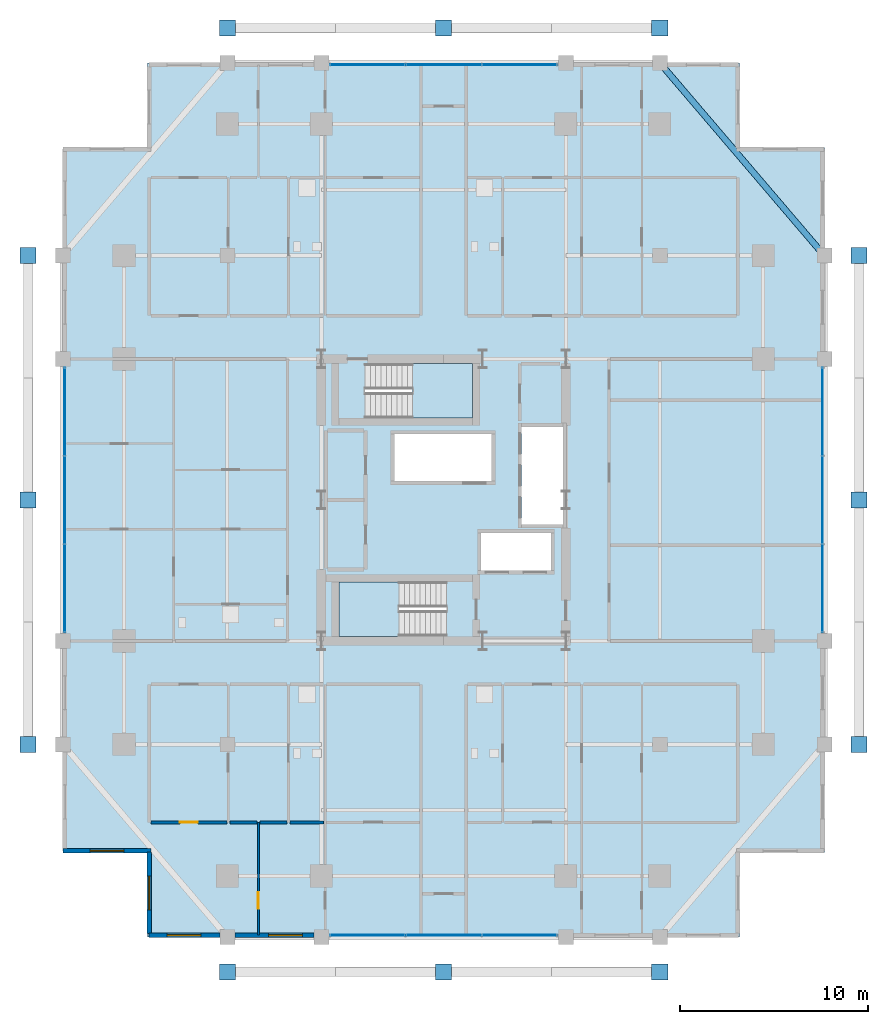
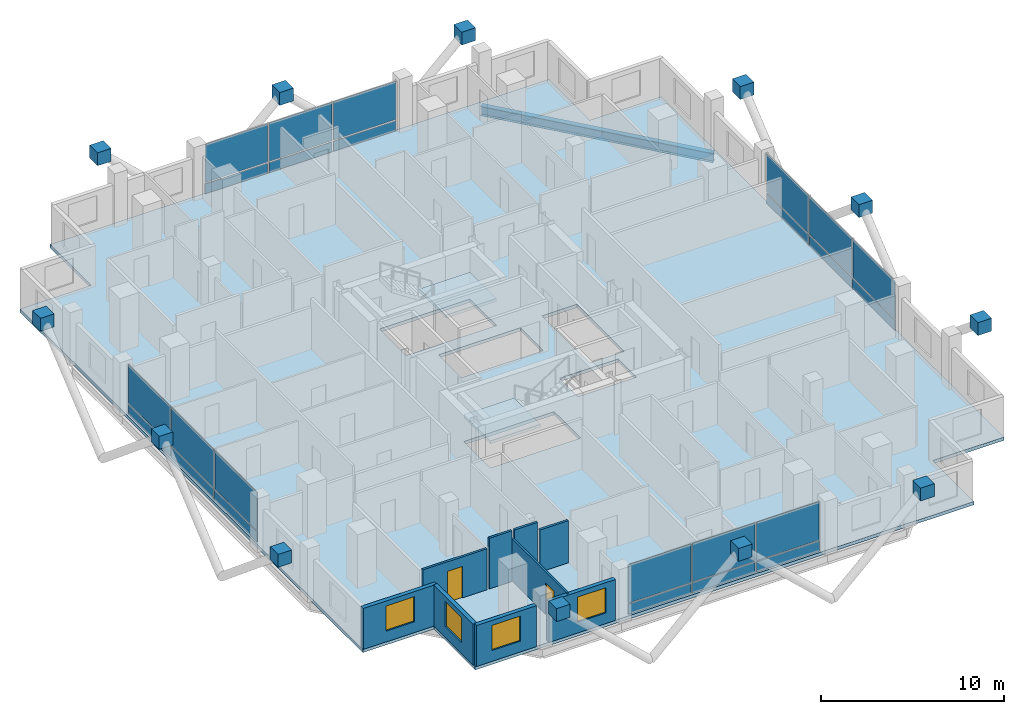
# One storey, part 16 of 23: 36 plates, 9 walls, 4 windows, 3 slabs, 2 doors, 1 beam, 6 openings, 6 elements without a shape of their own.
"""IFC4 building model written with IfcOpenShell, lengths in metres."""

from ifc_helpers import new_model, si_unit, direction, frame, frame_2d, origin, origin_2d, place, context, subcontext, project, spatial, polyline, rectangle, i_section, outline, extrude, material, layer, layer_set, material_profile, profile_set, type_object, element, fill, aggregate, save


model = new_model("IFC4")

# Units and contexts
model_context = context("Model", 3, precision=1e-05, world=origin(), true_north=direction((0.0, 1.0)))
body_context = subcontext(model_context, "Body", "Model", "MODEL_VIEW")
ifc_project = project(units=[si_unit("LENGTHUNIT", "METRE"), si_unit("AREAUNIT", "SQUARE_METRE"), si_unit("VOLUMEUNIT", "CUBIC_METRE"), si_unit("PLANEANGLEUNIT", "RADIAN"), si_unit("MASSUNIT", "GRAM", prefix="KILO")], contexts=[model_context])

# Site, building, storey
site_placement = place(None, origin())
site = spatial("IfcSite", under=ifc_project, at=site_placement, CompositionType="ELEMENT")
building_placement = place(site_placement, origin())
building = spatial("IfcBuilding", under=site, at=building_placement, Name="Barlavira Tower and Art Museum", CompositionType="ELEMENT")
storey_placement = place(building_placement, frame((0.0, 0.0, 140.39990234375)))
storey = spatial("IfcBuildingStorey", under=building, at=storey_placement, Name="L35", CompositionType="ELEMENT", Elevation=140.39990234375)

# Beam
ifc_material_1 = material(Name="Steel S355", Category="steel")
ifc_material_profile = material_profile(ifc_material_1, i_section(OverallWidth=0.327880859375, OverallDepth=0.62890625, WebThickness=0.013916015625, FlangeThickness=0.021484375, at=origin_2d()), Name="W610x174.0")
ifc_profile_set = profile_set([ifc_material_profile], Name="Steel S355")
beam_type = type_object("IfcBeamType", Name="Perimeter Spandrel Edge Beam W610x174 Steel S355", PredefinedType="SPANDREL", material=ifc_profile_set)
beam_placement = place(storey_placement, frame((20.25, 13.0, -0.534423828125), z_axis=(-0.649262379928, 0.760564502202, 0.0), x_axis=(-0.760564502202, -0.649262379928, 0.0)))
element("IfcBeam", 1, at=beam_placement, inside=storey, type_object=beam_type, Name="L35 Spandrel 8", PredefinedType="SPANDREL", context=body_context, shape_type="SweptSolid", body=[
    extrude(i_section(OverallWidth=0.327880859375, OverallDepth=0.62890625, WebThickness=0.013916015625, FlangeThickness=0.021484375, at=origin_2d()), origin(), (0.0, 0.0, 1.0), 13.476806640625),
])

# Curtain wall, plates
ifc_material_2 = material(Name="Low-iron coastal laminated glass", Category="glass")
ifc_layer_1 = layer(ifc_material_2, 0.18994140625, Name="Low-iron coastal laminated glass")
ifc_layer_set_1 = layer_set([ifc_layer_1], Name="Low-iron coastal laminated glass")
curtain_wall_type = type_object("IfcCurtainWallType", Name="Pale-Metal Unitised Curtain Wall Zone 2", PredefinedType="NOTDEFINED", material=ifc_layer_set_1)
curtain_wall_1_placement = place(storey_placement, origin())
curtain_wall_1 = element("IfcCurtainWall", 2, at=curtain_wall_1_placement, inside=storey, type_object=curtain_wall_type, Name="L35 Curtain Wall CW2-L35-S-B3", PredefinedType="NOTDEFINED")
ifc_material_3 = material(Name="Pale anodised aluminium", Category="aluminium")
ifc_layer_2 = layer(ifc_material_3, 0.044921875, Name="Pale anodised aluminium")
ifc_layer_set_2 = layer_set([ifc_layer_2], Name="Pale anodised aluminium")
plate_type_1 = type_object("IfcPlateType", Name="Curtain Wall Pale-Metal Spandrel Panel 45", PredefinedType="CURTAIN_PANEL", material=ifc_layer_set_2)
plate_1_placement = place(storey_placement, frame((-4.05322265625, -23.14990234375, 0.0400390625), z_axis=(0.0, 0.0, 1.0), x_axis=(1.0, 0.0, 0.0)))
plate_1 = element("IfcPlate", 3, at=plate_1_placement, type_object=plate_type_1, Name="CW2-L35-S-B3 Spandrel Panel 0", PredefinedType="CURTAIN_PANEL", context=body_context, shape_type="SweptSolid", body=[
    extrude(rectangle(XDim=3.953369140625, YDim=0.044921875, at=origin_2d()), origin(), (0.0, 0.0, 1.0), 0.6640625),
])
plate_2_placement = place(storey_placement, frame((0.0, -23.14990234375, 0.0400390625), z_axis=(0.0, 0.0, 1.0), x_axis=(1.0, 0.0, 0.0)))
plate_2 = element("IfcPlate", 4, at=plate_2_placement, type_object=plate_type_1, Name="CW2-L35-S-B3 Spandrel Panel 1", PredefinedType="CURTAIN_PANEL", context=body_context, shape_type="SweptSolid", body=[
    extrude(rectangle(XDim=3.953369140625, YDim=0.044921875, at=origin_2d()), origin(), (0.0, 0.0, 1.0), 0.6640625),
])
plate_3_placement = place(storey_placement, frame((4.05322265625, -23.14990234375, 0.0400390625), z_axis=(0.0, 0.0, 1.0), x_axis=(1.0, 0.0, 0.0)))
plate_3 = element("IfcPlate", 5, at=plate_3_placement, type_object=plate_type_1, Name="CW2-L35-S-B3 Spandrel Panel 2", PredefinedType="CURTAIN_PANEL", context=body_context, shape_type="SweptSolid", body=[
    extrude(rectangle(XDim=3.953369140625, YDim=0.044921875, at=origin_2d()), origin(), (0.0, 0.0, 1.0), 0.6640625),
])

curtain_wall_2_placement = place(storey_placement, origin())
curtain_wall_2 = element("IfcCurtainWall", 6, at=curtain_wall_2_placement, inside=storey, type_object=curtain_wall_type, Name="L35 Curtain Wall CW2-L35-N-B3", PredefinedType="NOTDEFINED")
plate_4_placement = place(storey_placement, frame((4.05322265625, 23.14990234375, 0.0400390625), z_axis=(0.0, 0.0, 1.0), x_axis=(-1.0, 0.0, 0.0)))
plate_4 = element("IfcPlate", 7, at=plate_4_placement, type_object=plate_type_1, Name="CW2-L35-N-B3 Spandrel Panel 0", PredefinedType="CURTAIN_PANEL", context=body_context, shape_type="SweptSolid", body=[
    extrude(rectangle(XDim=3.953369140625, YDim=0.044921875, at=origin_2d()), origin(), (0.0, 0.0, 1.0), 0.6640625),
])
plate_5_placement = place(storey_placement, frame((0.0, 23.14990234375, 0.0400390625), z_axis=(0.0, 0.0, 1.0), x_axis=(-1.0, 0.0, 0.0)))
plate_5 = element("IfcPlate", 8, at=plate_5_placement, type_object=plate_type_1, Name="CW2-L35-N-B3 Spandrel Panel 1", PredefinedType="CURTAIN_PANEL", context=body_context, shape_type="SweptSolid", body=[
    extrude(rectangle(XDim=3.953369140625, YDim=0.044921875, at=origin_2d()), origin(), (0.0, 0.0, 1.0), 0.6640625),
])
plate_6_placement = place(storey_placement, frame((-4.05322265625, 23.14990234375, 0.0400390625), z_axis=(0.0, 0.0, 1.0), x_axis=(-1.0, 0.0, 0.0)))
plate_6 = element("IfcPlate", 9, at=plate_6_placement, type_object=plate_type_1, Name="CW2-L35-N-B3 Spandrel Panel 2", PredefinedType="CURTAIN_PANEL", context=body_context, shape_type="SweptSolid", body=[
    extrude(rectangle(XDim=3.953369140625, YDim=0.044921875, at=origin_2d()), origin(), (0.0, 0.0, 1.0), 0.6640625),
])

curtain_wall_3_placement = place(storey_placement, origin())
curtain_wall_3 = element("IfcCurtainWall", 10, at=curtain_wall_3_placement, inside=storey, type_object=curtain_wall_type, Name="L35 Curtain Wall CW2-L35-W-B3", PredefinedType="NOTDEFINED")
plate_7_placement = place(storey_placement, frame((-20.14990234375, 4.719970703125, 0.0400390625), z_axis=(0.0, 0.0, 1.0), x_axis=(0.0, -1.0, 0.0)))
plate_7 = element("IfcPlate", 11, at=plate_7_placement, type_object=plate_type_1, Name="CW2-L35-W-B3 Spandrel Panel 0", PredefinedType="CURTAIN_PANEL", context=body_context, shape_type="SweptSolid", body=[
    extrude(rectangle(XDim=4.6201171875, YDim=0.044921875, at=origin_2d()), origin(), (0.0, 0.0, 1.0), 0.6640625),
])
plate_8_placement = place(storey_placement, frame((-20.14990234375, 0.0, 0.0400390625), z_axis=(0.0, 0.0, 1.0), x_axis=(0.0, -1.0, 0.0)))
plate_8 = element("IfcPlate", 12, at=plate_8_placement, type_object=plate_type_1, Name="CW2-L35-W-B3 Spandrel Panel 1", PredefinedType="CURTAIN_PANEL", context=body_context, shape_type="SweptSolid", body=[
    extrude(rectangle(XDim=4.6201171875, YDim=0.044921875, at=origin_2d()), origin(), (0.0, 0.0, 1.0), 0.6640625),
])
plate_9_placement = place(storey_placement, frame((-20.14990234375, -4.719970703125, 0.0400390625), z_axis=(0.0, 0.0, 1.0), x_axis=(0.0, -1.0, 0.0)))
plate_9 = element("IfcPlate", 13, at=plate_9_placement, type_object=plate_type_1, Name="CW2-L35-W-B3 Spandrel Panel 2", PredefinedType="CURTAIN_PANEL", context=body_context, shape_type="SweptSolid", body=[
    extrude(rectangle(XDim=4.6201171875, YDim=0.044921875, at=origin_2d()), origin(), (0.0, 0.0, 1.0), 0.6640625),
])

curtain_wall_4_placement = place(storey_placement, origin())
curtain_wall_4 = element("IfcCurtainWall", 14, at=curtain_wall_4_placement, inside=storey, type_object=curtain_wall_type, Name="L35 Curtain Wall CW2-L35-E-B3", PredefinedType="NOTDEFINED")
plate_10_placement = place(storey_placement, frame((20.14990234375, -4.719970703125, 0.0400390625), z_axis=(0.0, 0.0, 1.0), x_axis=(0.0, 1.0, 0.0)))
plate_10 = element("IfcPlate", 15, at=plate_10_placement, type_object=plate_type_1, Name="CW2-L35-E-B3 Spandrel Panel 0", PredefinedType="CURTAIN_PANEL", context=body_context, shape_type="SweptSolid", body=[
    extrude(rectangle(XDim=4.6201171875, YDim=0.044921875, at=origin_2d()), origin(), (0.0, 0.0, 1.0), 0.6640625),
])
plate_11_placement = place(storey_placement, frame((20.14990234375, 0.0, 0.0400390625), z_axis=(0.0, 0.0, 1.0), x_axis=(0.0, 1.0, 0.0)))
plate_11 = element("IfcPlate", 16, at=plate_11_placement, type_object=plate_type_1, Name="CW2-L35-E-B3 Spandrel Panel 1", PredefinedType="CURTAIN_PANEL", context=body_context, shape_type="SweptSolid", body=[
    extrude(rectangle(XDim=4.6201171875, YDim=0.044921875, at=origin_2d()), origin(), (0.0, 0.0, 1.0), 0.6640625),
])
plate_12_placement = place(storey_placement, frame((20.14990234375, 4.719970703125, 0.0400390625), z_axis=(0.0, 0.0, 1.0), x_axis=(0.0, 1.0, 0.0)))
plate_12 = element("IfcPlate", 17, at=plate_12_placement, type_object=plate_type_1, Name="CW2-L35-E-B3 Spandrel Panel 2", PredefinedType="CURTAIN_PANEL", context=body_context, shape_type="SweptSolid", body=[
    extrude(rectangle(XDim=4.6201171875, YDim=0.044921875, at=origin_2d()), origin(), (0.0, 0.0, 1.0), 0.6640625),
])

# Plate
ifc_layer_3 = layer(ifc_material_2, 0.028076171875, Name="Low-iron coastal laminated glass")
ifc_layer_set_3 = layer_set([ifc_layer_3], Name="Low-iron coastal laminated glass")
plate_type_2 = type_object("IfcPlateType", Name="Curtain Wall Vision Glazing Panel 28", PredefinedType="CURTAIN_PANEL", material=ifc_layer_set_3)
plate_13_placement = place(storey_placement, frame((-4.05322265625, -23.14990234375, 0.7841796875), z_axis=(0.0, 0.0, 1.0), x_axis=(1.0, 0.0, 0.0)))
plate_13 = element("IfcPlate", 18, at=plate_13_placement, type_object=plate_type_2, Name="CW2-L35-S-B3 Vision Glass Panel 0", PredefinedType="CURTAIN_PANEL", context=body_context, shape_type="SweptSolid", body=[
    extrude(rectangle(XDim=3.953369140625, YDim=0.028076171875, at=origin_2d()), origin(), (0.0, 0.0, 1.0), 2.555908203125),
])

plate_14_placement = place(storey_placement, frame((0.0, -23.14990234375, 0.7841796875), z_axis=(0.0, 0.0, 1.0), x_axis=(1.0, 0.0, 0.0)))
plate_14 = element("IfcPlate", 19, at=plate_14_placement, type_object=plate_type_2, Name="CW2-L35-S-B3 Vision Glass Panel 1", PredefinedType="CURTAIN_PANEL", context=body_context, shape_type="SweptSolid", body=[
    extrude(rectangle(XDim=3.953369140625, YDim=0.028076171875, at=origin_2d()), origin(), (0.0, 0.0, 1.0), 2.555908203125),
])

plate_15_placement = place(storey_placement, frame((4.05322265625, -23.14990234375, 0.7841796875), z_axis=(0.0, 0.0, 1.0), x_axis=(1.0, 0.0, 0.0)))
plate_15 = element("IfcPlate", 20, at=plate_15_placement, type_object=plate_type_2, Name="CW2-L35-S-B3 Vision Glass Panel 2", PredefinedType="CURTAIN_PANEL", context=body_context, shape_type="SweptSolid", body=[
    extrude(rectangle(XDim=3.953369140625, YDim=0.028076171875, at=origin_2d()), origin(), (0.0, 0.0, 1.0), 2.555908203125),
])

aggregate(curtain_wall_1, [plate_1, plate_13, plate_2, plate_14, plate_3, plate_15])

plate_16_placement = place(storey_placement, frame((4.05322265625, 23.14990234375, 0.7841796875), z_axis=(0.0, 0.0, 1.0), x_axis=(-1.0, 0.0, 0.0)))
plate_16 = element("IfcPlate", 21, at=plate_16_placement, type_object=plate_type_2, Name="CW2-L35-N-B3 Vision Glass Panel 0", PredefinedType="CURTAIN_PANEL", context=body_context, shape_type="SweptSolid", body=[
    extrude(rectangle(XDim=3.953369140625, YDim=0.028076171875, at=origin_2d()), origin(), (0.0, 0.0, 1.0), 2.555908203125),
])

plate_17_placement = place(storey_placement, frame((0.0, 23.14990234375, 0.7841796875), z_axis=(0.0, 0.0, 1.0), x_axis=(-1.0, 0.0, 0.0)))
plate_17 = element("IfcPlate", 22, at=plate_17_placement, type_object=plate_type_2, Name="CW2-L35-N-B3 Vision Glass Panel 1", PredefinedType="CURTAIN_PANEL", context=body_context, shape_type="SweptSolid", body=[
    extrude(rectangle(XDim=3.953369140625, YDim=0.028076171875, at=origin_2d()), origin(), (0.0, 0.0, 1.0), 2.555908203125),
])

plate_18_placement = place(storey_placement, frame((-4.05322265625, 23.14990234375, 0.7841796875), z_axis=(0.0, 0.0, 1.0), x_axis=(-1.0, 0.0, 0.0)))
plate_18 = element("IfcPlate", 23, at=plate_18_placement, type_object=plate_type_2, Name="CW2-L35-N-B3 Vision Glass Panel 2", PredefinedType="CURTAIN_PANEL", context=body_context, shape_type="SweptSolid", body=[
    extrude(rectangle(XDim=3.953369140625, YDim=0.028076171875, at=origin_2d()), origin(), (0.0, 0.0, 1.0), 2.555908203125),
])

aggregate(curtain_wall_2, [plate_4, plate_16, plate_5, plate_17, plate_6, plate_18])

plate_19_placement = place(storey_placement, frame((-20.14990234375, 4.719970703125, 0.7841796875), z_axis=(0.0, 0.0, 1.0), x_axis=(0.0, -1.0, 0.0)))
plate_19 = element("IfcPlate", 24, at=plate_19_placement, type_object=plate_type_2, Name="CW2-L35-W-B3 Vision Glass Panel 0", PredefinedType="CURTAIN_PANEL", context=body_context, shape_type="SweptSolid", body=[
    extrude(rectangle(XDim=4.6201171875, YDim=0.028076171875, at=origin_2d()), origin(), (0.0, 0.0, 1.0), 2.555908203125),
])

plate_20_placement = place(storey_placement, frame((-20.14990234375, 0.0, 0.7841796875), z_axis=(0.0, 0.0, 1.0), x_axis=(0.0, -1.0, 0.0)))
plate_20 = element("IfcPlate", 25, at=plate_20_placement, type_object=plate_type_2, Name="CW2-L35-W-B3 Vision Glass Panel 1", PredefinedType="CURTAIN_PANEL", context=body_context, shape_type="SweptSolid", body=[
    extrude(rectangle(XDim=4.6201171875, YDim=0.028076171875, at=origin_2d()), origin(), (0.0, 0.0, 1.0), 2.555908203125),
])

plate_21_placement = place(storey_placement, frame((-20.14990234375, -4.719970703125, 0.7841796875), z_axis=(0.0, 0.0, 1.0), x_axis=(0.0, -1.0, 0.0)))
plate_21 = element("IfcPlate", 26, at=plate_21_placement, type_object=plate_type_2, Name="CW2-L35-W-B3 Vision Glass Panel 2", PredefinedType="CURTAIN_PANEL", context=body_context, shape_type="SweptSolid", body=[
    extrude(rectangle(XDim=4.6201171875, YDim=0.028076171875, at=origin_2d()), origin(), (0.0, 0.0, 1.0), 2.555908203125),
])

aggregate(curtain_wall_3, [plate_7, plate_19, plate_8, plate_20, plate_9, plate_21])

plate_22_placement = place(storey_placement, frame((20.14990234375, -4.719970703125, 0.7841796875), z_axis=(0.0, 0.0, 1.0), x_axis=(0.0, 1.0, 0.0)))
plate_22 = element("IfcPlate", 27, at=plate_22_placement, type_object=plate_type_2, Name="CW2-L35-E-B3 Vision Glass Panel 0", PredefinedType="CURTAIN_PANEL", context=body_context, shape_type="SweptSolid", body=[
    extrude(rectangle(XDim=4.6201171875, YDim=0.028076171875, at=origin_2d()), origin(), (0.0, 0.0, 1.0), 2.555908203125),
])

plate_23_placement = place(storey_placement, frame((20.14990234375, 0.0, 0.7841796875), z_axis=(0.0, 0.0, 1.0), x_axis=(0.0, 1.0, 0.0)))
plate_23 = element("IfcPlate", 28, at=plate_23_placement, type_object=plate_type_2, Name="CW2-L35-E-B3 Vision Glass Panel 1", PredefinedType="CURTAIN_PANEL", context=body_context, shape_type="SweptSolid", body=[
    extrude(rectangle(XDim=4.6201171875, YDim=0.028076171875, at=origin_2d()), origin(), (0.0, 0.0, 1.0), 2.555908203125),
])

plate_24_placement = place(storey_placement, frame((20.14990234375, 4.719970703125, 0.7841796875), z_axis=(0.0, 0.0, 1.0), x_axis=(0.0, 1.0, 0.0)))
plate_24 = element("IfcPlate", 29, at=plate_24_placement, type_object=plate_type_2, Name="CW2-L35-E-B3 Vision Glass Panel 2", PredefinedType="CURTAIN_PANEL", context=body_context, shape_type="SweptSolid", body=[
    extrude(rectangle(XDim=4.6201171875, YDim=0.028076171875, at=origin_2d()), origin(), (0.0, 0.0, 1.0), 2.555908203125),
])

aggregate(curtain_wall_4, [plate_10, plate_22, plate_11, plate_23, plate_12, plate_24])

# Plates
ifc_layer_4 = layer(ifc_material_1, 0.860107421875, Name="Steel S355")
ifc_layer_set_4 = layer_set([ifc_layer_4], Name="Steel S355")
plate_type_3 = type_object("IfcPlateType", Name="Exoskeleton Solid Steel Node Cap Plate Assembly Type 2 Steel S355", PredefinedType="USERDEFINED", material=ifc_layer_set_4)
for number, where, z_axis, x_axis, name in (
    (30, (-11.5, -25.10009765625, 3.0498046875), (0.0, 0.0, 1.0), (1.0, 0.0, 0.0), "Exoskeleton Node S ND-L35-0345"),
    (31, (0.0, -25.10009765625, 3.0498046875), (0.0, 0.0, 1.0), (1.0, 0.0, 0.0), "Exoskeleton Node S ND-L35-0346"),
    (32, (11.5, -25.10009765625, 3.0498046875), (0.0, 0.0, 1.0), (1.0, 0.0, 0.0), "Exoskeleton Node S ND-L35-0347"),
    (33, (-11.5, 25.10009765625, 3.0498046875), (0.0, 0.0, 1.0), (1.0, 0.0, 0.0), "Exoskeleton Node N ND-L35-0353"),
    (34, (0.0, 25.10009765625, 3.0498046875), (0.0, 0.0, 1.0), (1.0, 0.0, 0.0), "Exoskeleton Node N ND-L35-0354"),
    (35, (11.5, 25.10009765625, 3.0498046875), (0.0, 0.0, 1.0), (1.0, 0.0, 0.0), "Exoskeleton Node N ND-L35-0355"),
    (36, (-22.10009765625, -13.0, 3.0498046875), (0.0, 0.0, 1.0), (1.0, 0.0, 0.0), "Exoskeleton Node W ND-L35-0361"),
    (37, (-22.10009765625, 0.0, 3.0498046875), (0.0, 0.0, 1.0), (1.0, 0.0, 0.0), "Exoskeleton Node W ND-L35-0362"),
    (38, (-22.10009765625, 13.0, 3.0498046875), (0.0, 0.0, 1.0), (1.0, 0.0, 0.0), "Exoskeleton Node W ND-L35-0363"),
    (39, (22.10009765625, -13.0, 3.0498046875), (0.0, 0.0, 1.0), (1.0, 0.0, 0.0), "Exoskeleton Node E ND-L35-0369"),
    (40, (22.10009765625, 0.0, 3.0498046875), (0.0, 0.0, 1.0), (1.0, 0.0, 0.0), "Exoskeleton Node E ND-L35-0370"),
    (41, (22.10009765625, 13.0, 3.0498046875), (0.0, 0.0, 1.0), (1.0, 0.0, 0.0), "Exoskeleton Node E ND-L35-0371"),
):
    element("IfcPlate", number, at=place(storey_placement, frame(where, z_axis=z_axis, x_axis=x_axis)), inside=storey, type_object=plate_type_3, Name=name, ObjectType="FLANGE_PLATE", PredefinedType="USERDEFINED", context=body_context, shape_type="SweptSolid", body=[
        extrude(rectangle(XDim=0.860107421875, YDim=0.860107421875, at=origin_2d()), origin(), (0.0, 0.0, 1.0), 0.860107421875),
    ])

# Stair, slab
ifc_material_4 = material(Name="Concrete C45", Category="concrete")
stair_type_1 = type_object("IfcStairType", Name="Tower North Dog-Leg Exit Stair Assembly Concrete C45", PredefinedType="TWO_QUARTER_TURN_STAIR", material=ifc_material_4)
stair_1_placement = place(storey_placement, origin())
stair_1 = element("IfcStair", 42, at=stair_1_placement, inside=storey, type_object=stair_type_1, Name="L35 Tower North Exit Stair ST-T2", PredefinedType="TWO_QUARTER_TURN_STAIR")
ifc_layer_5 = layer(ifc_material_4, 0.199951171875, Name="Concrete C45")
ifc_layer_set_5 = layer_set([ifc_layer_5], Name="Concrete C45")
slab_type_1 = type_object("IfcSlabType", Name="Tower North Dog-Leg Exit Stair Half-Landing Slab 200 Concrete C45", PredefinedType="LANDING", material=ifc_layer_set_5)
slab_1_placement = place(storey_placement, frame((0.0, 0.0, 1.60009765625)))
slab_1 = element("IfcSlab", 43, at=slab_1_placement, type_object=slab_type_1, Name="ST-T2 landing 1", PredefinedType="LANDING", context=body_context, shape_type="SweptSolid", body=[
    extrude(outline(polyline([(-1.64990234375, 4.35009765625), (1.530029296875, 4.35009765625), (1.530029296875, 7.25), (-1.64990234375, 7.25), (-1.64990234375, 4.35009765625)])), origin(), (0.0, 0.0, 1.0), 0.199951171875),
])
aggregate(stair_1, [slab_1])

stair_type_2 = type_object("IfcStairType", Name="Tower South Dog-Leg Exit Stair Assembly Concrete C45", PredefinedType="TWO_QUARTER_TURN_STAIR", material=ifc_material_4)
stair_2_placement = place(storey_placement, origin())
stair_2 = element("IfcStair", 44, at=stair_2_placement, inside=storey, type_object=stair_type_2, Name="L35 Tower South Exit Stair ST-T1", PredefinedType="TWO_QUARTER_TURN_STAIR")
ifc_layer_6 = layer(ifc_material_4, 0.199951171875, Name="Concrete C45")
ifc_layer_set_6 = layer_set([ifc_layer_6], Name="Concrete C45")
slab_type_2 = type_object("IfcSlabType", Name="Tower South Dog-Leg Exit Stair Half-Landing Slab 200 Concrete C45", PredefinedType="LANDING", material=ifc_layer_set_6)
slab_2_placement = place(storey_placement, frame((0.0, 0.0, 1.60009765625)))
slab_2 = element("IfcSlab", 45, at=slab_2_placement, type_object=slab_type_2, Name="ST-T1 landing 1", PredefinedType="LANDING", context=body_context, shape_type="SweptSolid", body=[
    extrude(outline(polyline([(-2.3701171875, -4.35009765625), (-5.550048828125, -4.35009765625), (-5.550048828125, -7.25), (-2.3701171875, -7.25), (-2.3701171875, -4.35009765625)])), origin(), (0.0, 0.0, 1.0), 0.199951171875),
])
aggregate(stair_2, [slab_2])

# Slab
ifc_material_5 = material(Name="Concrete C50", Category="concrete")
ifc_layer_7 = layer(ifc_material_5, 0.2099609375, Name="Concrete C50")
ifc_layer_set_7 = layer_set([ifc_layer_7], Name="Concrete C50")
slab_type_3 = type_object("IfcSlabType", Name="Zone 2 Residential Composite Slab 210 Concrete C50", PredefinedType="FLOOR", material=ifc_layer_set_7)
slab_3_placement = place(storey_placement, frame((0.0, 0.0, -0.219970703125)))
element("IfcSlab", 46, at=slab_3_placement, inside=storey, type_object=slab_type_3, Name="L35 Tower Floor Slab", PredefinedType="FLOOR", context=body_context, shape_type="SweptSolid", body=[
    extrude(outline(polyline([(-15.75, -23.25), (15.75, -23.25), (15.75, -18.75), (20.25, -18.75), (20.25, 18.75), (15.75, 18.75), (15.75, 23.25), (-15.75, 23.25), (-15.75, 18.75), (-20.25, 18.75), (-20.25, -18.75), (-15.75, -18.75), (-15.75, -23.25)]), holes=[polyline([(0.14990234375, -4.35009765625), (-5.550048828125, -4.35009765625), (-5.550048828125, -7.25), (0.14990234375, -7.25), (0.14990234375, -4.35009765625)]), polyline([(-4.169921875, 4.35009765625), (1.530029296875, 4.35009765625), (1.530029296875, 7.25), (-4.169921875, 7.25), (-4.169921875, 4.35009765625)]), polyline([(4.14990234375, -1.2900390625), (6.35009765625, -1.2900390625), (6.35009765625, 3.889892578125), (4.14990234375, 3.889892578125), (4.14990234375, -1.2900390625)]), polyline([(-2.6201171875, 1.0), (2.56005859375, 1.0), (2.56005859375, 3.5), (-2.6201171875, 3.5), (-2.6201171875, 1.0)]), polyline([(2.0, -3.75), (5.699951171875, -3.75), (5.699951171875, -1.75), (2.0, -1.75), (2.0, -3.75)])]), origin(), (0.0, 0.0, 1.0), 0.219970703125),
])

# Wall, opening, door
ifc_material_6 = material(Name="Gypsum acoustic stud partition", Category="gypsum")
ifc_layer_8 = layer(ifc_material_6, 0.1201171875, Name="Gypsum acoustic stud partition")
ifc_layer_set_8 = layer_set([ifc_layer_8], Name="Gypsum acoustic stud partition")
wall_type_1 = type_object("IfcWallType", Name="Apartment Internal Acoustic Partition 120", PredefinedType="PARTITIONING", material=ifc_layer_set_8)
wall_1_placement = place(storey_placement, frame((-9.85009765625, -23.14990234375, 0.0), z_axis=(0.0, 0.0, 1.0), x_axis=(0.0, 1.0, 0.0)))
wall_1 = element("IfcWall", 47, at=wall_1_placement, inside=storey, type_object=wall_type_1, Name="L35 Partition Wall 6", PredefinedType="PARTITIONING", context=body_context, shape_type="SweptSolid", body=[
    extrude(rectangle(XDim=6.0, YDim=0.1201171875, at=frame_2d((3.0, 0.0))), origin(), (0.0, 0.0, 1.0), 2.816162109375),
])
opening_1_placement = place(wall_1_placement, frame((1.39892578125, 0.0, 0.0)))
opening_1 = element("IfcOpeningElement", 48, at=opening_1_placement, cuts=wall_1, Name="Opening D-01", PredefinedType="OPENING", context=body_context, shape_type="SweptSolid", body=[
    extrude(rectangle(XDim=0.89990234375, YDim=2.10009765625, at=frame_2d((0.449951171875, 1.050048828125))), frame((0.0, 0.070068359375, 0.0), z_axis=(0.0, -1.0, 0.0), x_axis=(1.0, 0.0, 0.0)), (0.0, 0.0, 1.0), 0.14013671875),
])
ifc_material_7 = material(Name="Engineered coastal hardwood", Category="wood")
door_type_1 = type_object("IfcDoorType", Name="Internal Bedroom Timber Flush Door 900x2100", OperationType="NOTDEFINED", PredefinedType="DOOR", material=ifc_material_7)
door_1_placement = place(opening_1_placement, origin())
door_1 = element("IfcDoor", 49, at=door_1_placement, inside=storey, type_object=door_type_1, Name="Apartment SW1 Bedroom 1 Door", OperationType="SINGLE_SWING_LEFT", OverallHeight=2.10009765625, OverallWidth=0.89990234375, PredefinedType="DOOR", context=body_context, shape_type="SweptSolid", body=[
    extrude(rectangle(XDim=0.89990234375, YDim=2.10009765625, at=frame_2d((0.449951171875, 1.050048828125))), frame((0.0, 0.02490234375, 0.0), z_axis=(0.0, -1.0, 0.0), x_axis=(1.0, 0.0, 0.0)), (0.0, 0.0, 1.0), 0.050048828125),
])
fill(opening_1, door_1)

ifc_layer_9 = layer(ifc_material_6, 0.139892578125, Name="Gypsum acoustic stud partition")
ifc_layer_set_9 = layer_set([ifc_layer_9], Name="Gypsum acoustic stud partition")
wall_type_2 = type_object("IfcWallType", Name="Moisture-Resistant Bathroom Partition 140", PredefinedType="PARTITIONING", material=ifc_layer_set_9)
wall_2_placement = place(storey_placement, frame((-15.570068359375, -17.14990234375, 0.0), z_axis=(0.0, 0.0, 1.0), x_axis=(1.0, 0.0, 0.0)))
wall_2 = element("IfcWall", 50, at=wall_2_placement, inside=storey, type_object=wall_type_2, Name="L35 Partition Wall 30", PredefinedType="PARTITIONING", context=body_context, shape_type="SweptSolid", body=[
    extrude(rectangle(XDim=4.0400390625, YDim=0.139892578125, at=frame_2d((2.02001953125, 0.0))), origin(), (0.0, 0.0, 1.0), 2.736083984375),
])
opening_2_placement = place(wall_2_placement, frame((1.544921875, 0.0, 0.0)))
opening_2 = element("IfcOpeningElement", 51, at=opening_2_placement, cuts=wall_2, Name="Opening D-02", PredefinedType="OPENING", context=body_context, shape_type="SweptSolid", body=[
    extrude(rectangle(XDim=0.949951171875, YDim=2.10009765625, at=frame_2d((0.47509765625, 1.050048828125))), frame((0.0, 0.080078125, 0.0), z_axis=(0.0, -1.0, 0.0), x_axis=(1.0, 0.0, 0.0)), (0.0, 0.0, 1.0), 0.159912109375),
])
door_type_2 = type_object("IfcDoorType", Name="Living and Salon Glazed-Leaf Door 950x2100", OperationType="NOTDEFINED", PredefinedType="DOOR", material=ifc_material_7)
door_2_placement = place(opening_2_placement, origin())
door_2 = element("IfcDoor", 52, at=door_2_placement, inside=storey, type_object=door_type_2, Name="Apartment SW1 Living Lounge Door", OperationType="SINGLE_SWING_RIGHT", OverallHeight=2.10009765625, OverallWidth=0.949951171875, PredefinedType="DOOR", context=body_context, shape_type="SweptSolid", body=[
    extrude(rectangle(XDim=0.949951171875, YDim=2.10009765625, at=frame_2d((0.47509765625, 1.050048828125))), frame((0.0, 0.02490234375, 0.0), z_axis=(0.0, -1.0, 0.0), x_axis=(1.0, 0.0, 0.0)), (0.0, 0.0, 1.0), 0.050048828125),
])
fill(opening_2, door_2)

# Walls
wall_3_placement = place(storey_placement, frame((-11.3701171875, -17.14990234375, 0.0), z_axis=(0.0, 0.0, 1.0), x_axis=(1.0, 0.0, 0.0)))
element("IfcWall", 53, at=wall_3_placement, inside=storey, type_object=wall_type_2, Name="L35 Partition Wall 31", PredefinedType="PARTITIONING", context=body_context, shape_type="SweptSolid", body=[
    extrude(rectangle(XDim=1.440185546875, YDim=0.139892578125, at=frame_2d((0.72021484375, 0.0))), origin(), (0.0, 0.0, 1.0), 3.380126953125),
])
wall_4_placement = place(storey_placement, frame((-9.77001953125, -17.14990234375, 0.0), z_axis=(0.0, 0.0, 1.0), x_axis=(1.0, 0.0, 0.0)))
element("IfcWall", 54, at=wall_4_placement, inside=storey, type_object=wall_type_2, Name="L35 Partition Wall 32", PredefinedType="PARTITIONING", context=body_context, shape_type="SweptSolid", body=[
    extrude(rectangle(XDim=1.43994140625, YDim=0.139892578125, at=frame_2d((0.719970703125, 0.0))), origin(), (0.0, 0.0, 1.0), 3.380126953125),
])
wall_5_placement = place(storey_placement, frame((-8.169921875, -17.14990234375, 0.0), z_axis=(0.0, 0.0, 1.0), x_axis=(1.0, 0.0, 0.0)))
element("IfcWall", 55, at=wall_5_placement, inside=storey, type_object=wall_type_2, Name="L35 Partition Wall 33", PredefinedType="PARTITIONING", context=body_context, shape_type="SweptSolid", body=[
    extrude(rectangle(XDim=1.7900390625, YDim=0.139892578125, at=frame_2d((0.89501953125, 0.0))), origin(), (0.0, 0.0, 1.0), 2.816162109375),
])

# Wall, opening, window
ifc_material_8 = material(Name="Precast concrete C40", Category="concrete")
ifc_layer_10 = layer(ifc_material_8, 0.25, Name="Precast concrete C40")
ifc_layer_set_10 = layer_set([ifc_layer_10], Name="Precast concrete C40")
wall_type_3 = type_object("IfcWallType", Name="Notched Corner Spandrel Wall 250 Precast Concrete C40", PredefinedType="SOLIDWALL", material=ifc_layer_set_10)
wall_6_placement = place(storey_placement, frame((-15.675048828125, -23.14990234375, 0.0), z_axis=(0.0, 0.0, 1.0), x_axis=(1.0, 0.0, 0.0)))
wall_6 = element("IfcWall", 56, at=wall_6_placement, inside=storey, type_object=wall_type_3, Name="L35 Coastal Facade Pier Wall CW2-L35-S-1", PredefinedType="SOLIDWALL", context=body_context, shape_type="SweptSolid", body=[
    extrude(rectangle(XDim=3.780029296875, YDim=0.25, at=frame_2d((1.89013671875, 0.0))), origin(), (0.0, 0.0, 1.0), 2.736083984375),
])
opening_3_placement = place(wall_6_placement, frame((0.968017578125, 0.0, 0.719970703125)))
opening_3 = element("IfcOpeningElement", 57, at=opening_3_placement, cuts=wall_6, Name="Opening WN-01", PredefinedType="OPENING", context=body_context, shape_type="SweptSolid", body=[
    extrude(rectangle(XDim=1.800048828125, YDim=1.679931640625, at=frame_2d((0.89990234375, 0.83984375))), frame((0.0, 0.135009765625, 0.0), z_axis=(0.0, -1.0, 0.0), x_axis=(1.0, 0.0, 0.0)), (0.0, 0.0, 1.0), 0.27001953125),
])
window_type = type_object("IfcWindowType", Name="Recessed Notch Corner Punch Window 1800x1680", PartitioningType="SINGLE_PANEL", PredefinedType="WINDOW", material=ifc_material_2)
window_1_placement = place(opening_3_placement, origin())
window_1 = element("IfcWindow", 58, at=window_1_placement, inside=storey, type_object=window_type, Name="L35 Punched Facade Window EWP-CW2-L35-S-1-1", OverallHeight=1.679931640625, OverallWidth=1.800048828125, PartitioningType="SINGLE_PANEL", PredefinedType="WINDOW", context=body_context, shape_type="SweptSolid", body=[
    extrude(rectangle(XDim=1.800048828125, YDim=1.679931640625, at=frame_2d((0.89990234375, 0.83984375))), frame((0.0, 0.030029296875, 0.0), z_axis=(0.0, -1.0, 0.0), x_axis=(1.0, 0.0, 0.0)), (0.0, 0.0, 1.0), 0.06005859375),
])
fill(opening_3, window_1)

wall_7_placement = place(storey_placement, frame((-11.10498046875, -23.14990234375, 0.0), z_axis=(0.0, 0.0, 1.0), x_axis=(1.0, 0.0, 0.0)))
wall_7 = element("IfcWall", 59, at=wall_7_placement, inside=storey, type_object=wall_type_3, Name="L35 Coastal Facade Pier Wall CW2-L35-S-2", PredefinedType="SOLIDWALL", context=body_context, shape_type="SweptSolid", body=[
    extrude(rectangle(XDim=4.2099609375, YDim=0.25, at=frame_2d((2.10498046875, 0.0))), origin(), (0.0, 0.0, 1.0), 2.736083984375),
])
opening_4_placement = place(wall_7_placement, frame((1.800048828125, 0.0, 0.719970703125)))
opening_4 = element("IfcOpeningElement", 60, at=opening_4_placement, cuts=wall_7, Name="Opening WN-01", PredefinedType="OPENING", context=body_context, shape_type="SweptSolid", body=[
    extrude(rectangle(XDim=1.800048828125, YDim=1.679931640625, at=frame_2d((0.89990234375, 0.83984375))), frame((0.0, 0.135009765625, 0.0), z_axis=(0.0, -1.0, 0.0), x_axis=(1.0, 0.0, 0.0)), (0.0, 0.0, 1.0), 0.27001953125),
])
window_2_placement = place(opening_4_placement, origin())
window_2 = element("IfcWindow", 61, at=window_2_placement, inside=storey, type_object=window_type, Name="L35 Punched Facade Window EWP-CW2-L35-S-2-1", OverallHeight=1.679931640625, OverallWidth=1.800048828125, PartitioningType="SINGLE_PANEL", PredefinedType="WINDOW", context=body_context, shape_type="SweptSolid", body=[
    extrude(rectangle(XDim=1.800048828125, YDim=1.679931640625, at=frame_2d((0.89990234375, 0.83984375))), frame((0.0, 0.030029296875, 0.0), z_axis=(0.0, -1.0, 0.0), x_axis=(1.0, 0.0, 0.0)), (0.0, 0.0, 1.0), 0.06005859375),
])
fill(opening_4, window_2)

wall_8_placement = place(storey_placement, frame((-20.22998046875, -18.64990234375, 0.0), z_axis=(0.0, 0.0, 1.0), x_axis=(1.0, 0.0, 0.0)))
wall_8 = element("IfcWall", 62, at=wall_8_placement, inside=storey, type_object=wall_type_3, Name="L35 Notch Corner Wall SW1", PredefinedType="SOLIDWALL", context=body_context, shape_type="SweptSolid", body=[
    extrude(rectangle(XDim=4.659912109375, YDim=0.25, at=frame_2d((2.330078125, 0.0))), origin(), (0.0, 0.0, 1.0), 2.736083984375),
])
opening_5_placement = place(wall_8_placement, frame((1.429931640625, 0.0, 0.719970703125)))
opening_5 = element("IfcOpeningElement", 63, at=opening_5_placement, cuts=wall_8, Name="Opening WN-01", PredefinedType="OPENING", context=body_context, shape_type="SweptSolid", body=[
    extrude(rectangle(XDim=1.800048828125, YDim=1.679931640625, at=frame_2d((0.89990234375, 0.83984375))), frame((0.0, 0.135009765625, 0.0), z_axis=(0.0, -1.0, 0.0), x_axis=(1.0, 0.0, 0.0)), (0.0, 0.0, 1.0), 0.27001953125),
])
window_3_placement = place(opening_5_placement, origin())
window_3 = element("IfcWindow", 64, at=window_3_placement, inside=storey, type_object=window_type, Name="L35 Punched Facade Window EW-NTC-L35-SW1-1", OverallHeight=1.679931640625, OverallWidth=1.800048828125, PartitioningType="SINGLE_PANEL", PredefinedType="WINDOW", context=body_context, shape_type="SweptSolid", body=[
    extrude(rectangle(XDim=1.800048828125, YDim=1.679931640625, at=frame_2d((0.89990234375, 0.83984375))), frame((0.0, 0.030029296875, 0.0), z_axis=(0.0, -1.0, 0.0), x_axis=(1.0, 0.0, 0.0)), (0.0, 0.0, 1.0), 0.06005859375),
])
fill(opening_5, window_3)

wall_9_placement = place(storey_placement, frame((-15.64990234375, -18.72998046875, 0.0), z_axis=(0.0, 0.0, 1.0), x_axis=(0.0, -1.0, 0.0)))
wall_9 = element("IfcWall", 65, at=wall_9_placement, inside=storey, type_object=wall_type_3, Name="L35 Notch Corner Wall SW2", PredefinedType="SOLIDWALL", context=body_context, shape_type="SweptSolid", body=[
    extrude(rectangle(XDim=4.340087890625, YDim=0.25, at=frame_2d((2.169921875, 0.0))), origin(), (0.0, 0.0, 1.0), 2.736083984375),
])
opening_6_placement = place(wall_9_placement, frame((1.27001953125, 0.0, 0.719970703125)))
opening_6 = element("IfcOpeningElement", 66, at=opening_6_placement, cuts=wall_9, Name="Opening WN-01", PredefinedType="OPENING", context=body_context, shape_type="SweptSolid", body=[
    extrude(rectangle(XDim=1.800048828125, YDim=1.679931640625, at=frame_2d((0.89990234375, 0.83984375))), frame((0.0, 0.135009765625, 0.0), z_axis=(0.0, -1.0, 0.0), x_axis=(1.0, 0.0, 0.0)), (0.0, 0.0, 1.0), 0.27001953125),
])
window_4_placement = place(opening_6_placement, origin())
window_4 = element("IfcWindow", 67, at=window_4_placement, inside=storey, type_object=window_type, Name="L35 Punched Facade Window EW-NTC-L35-SW2-1", OverallHeight=1.679931640625, OverallWidth=1.800048828125, PartitioningType="SINGLE_PANEL", PredefinedType="WINDOW", context=body_context, shape_type="SweptSolid", body=[
    extrude(rectangle(XDim=1.800048828125, YDim=1.679931640625, at=frame_2d((0.89990234375, 0.83984375))), frame((0.0, 0.030029296875, 0.0), z_axis=(0.0, -1.0, 0.0), x_axis=(1.0, 0.0, 0.0)), (0.0, 0.0, 1.0), 0.06005859375),
])
fill(opening_6, window_4)

save(model, "model.ifc")
